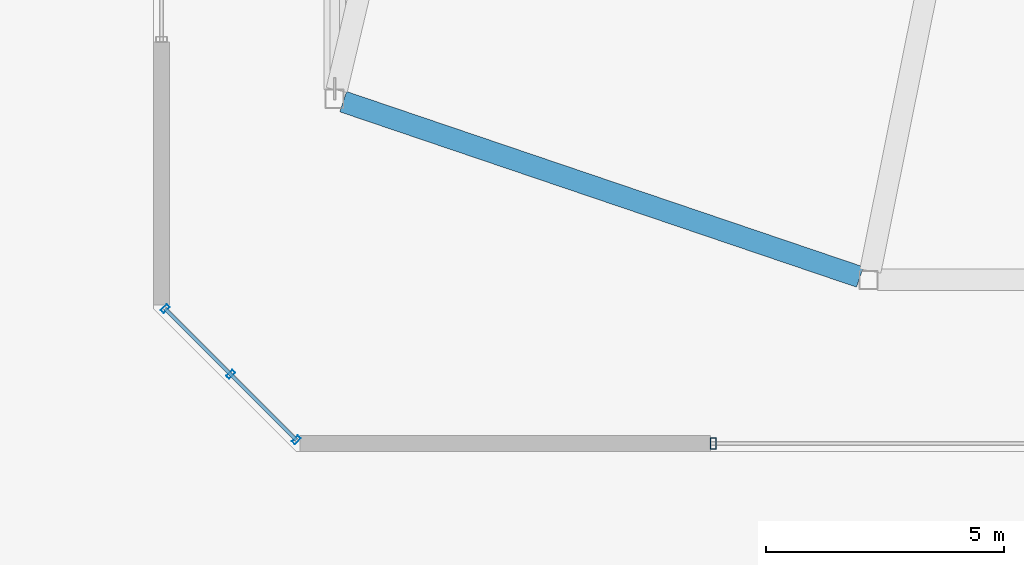
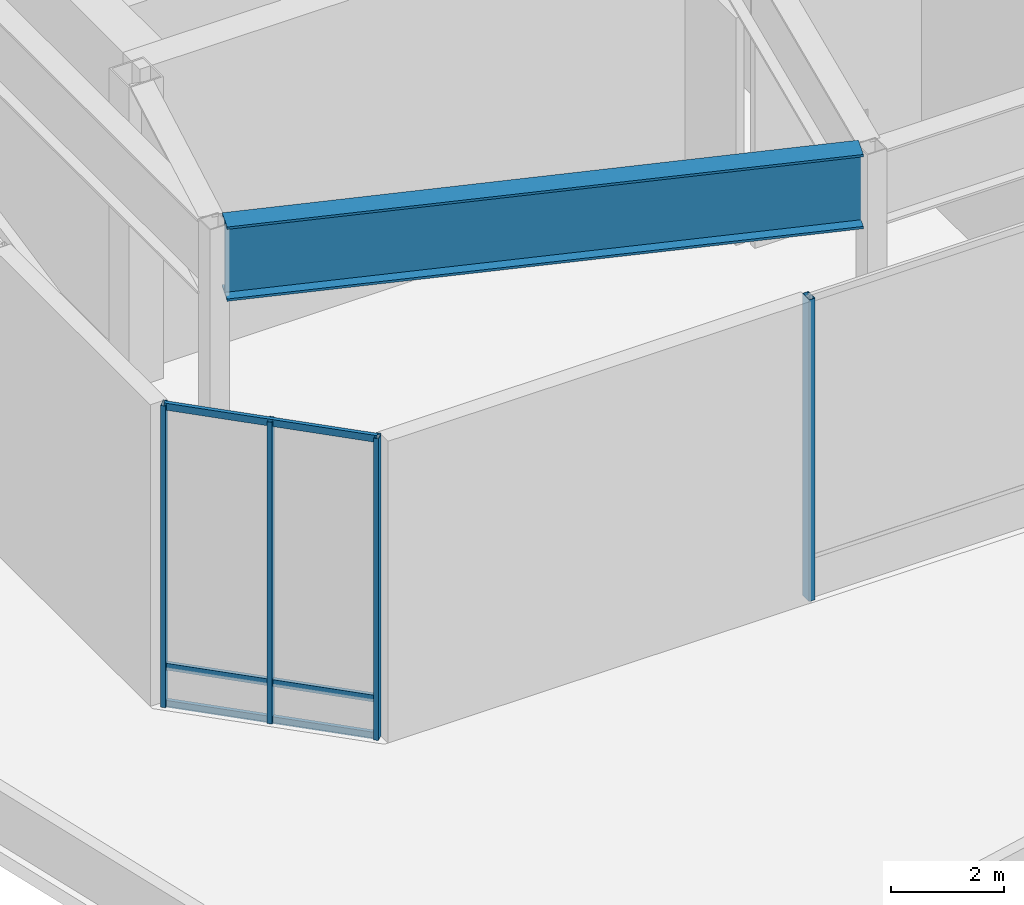
# One storey, part 2 of 25: 7 members, 1 beam, 2 elements without a shape of their own.
"""IFC4 building model written with IfcOpenShell, lengths in metres."""

from ifc_helpers import new_model, si_unit, direction, frame, origin, origin_2d, place, context, subcontext, project, spatial, hollow_rectangle, i_section, extrude, material, layer, layer_set, material_profile, profile_set, type_object, element, aggregate, save


model = new_model("IFC4")

# Units and contexts
model_context = context("Model", 3, precision=1e-05, world=origin(), true_north=direction((0.0, 1.0)))
body_context = subcontext(model_context, "Body", "Model", "MODEL_VIEW")
ifc_project = project(units=[si_unit("LENGTHUNIT", "METRE"), si_unit("AREAUNIT", "SQUARE_METRE"), si_unit("VOLUMEUNIT", "CUBIC_METRE"), si_unit("PLANEANGLEUNIT", "RADIAN"), si_unit("MASSUNIT", "GRAM", prefix="KILO")], contexts=[model_context])

# Site, building, storey
site_placement = place(None, origin())
site = spatial("IfcSite", under=ifc_project, at=site_placement, CompositionType="ELEMENT")
building_placement = place(site_placement, origin())
building = spatial("IfcBuilding", under=site, at=building_placement, Name="Tavrogorsk Clinical Tower", CompositionType="ELEMENT")
storey_placement = place(building_placement, frame((0.0, 0.0, 333.0)))
storey = spatial("IfcBuildingStorey", under=building, at=storey_placement, Name="L78", CompositionType="ELEMENT", Elevation=333.0)

# Curtain wall, members
ifc_material_1 = material(Name="Anodised aluminium and triple IGU glazing", Category="aluminium")
ifc_layer = layer(ifc_material_1, 0.179931640625)
ifc_layer_set = layer_set([ifc_layer], Name="Anodised aluminium and triple IGU glazing")
curtain_wall_type = type_object("IfcCurtainWallType", Name="CW6_TmdLantern", PredefinedType="NOTDEFINED", material=ifc_layer_set)
curtain_wall_1_placement = place(storey_placement, origin())
curtain_wall_1 = element("IfcCurtainWall", 1, at=curtain_wall_1_placement, inside=storey, type_object=curtain_wall_type, Name="L78 Curtain Wall CW-L78-TMD-1", PredefinedType="NOTDEFINED")
ifc_material_2 = material(Name="Anodised aluminium alloy AW-6060", Category="aluminium")
ifc_material_profile_1 = material_profile(ifc_material_2, hollow_rectangle(XDim=0.090087890625, YDim=0.179931640625, WallThickness=0.00634765625, at=origin_2d()), Name="RHS-180x90x6.3")
ifc_profile_set_1 = profile_set([ifc_material_profile_1], Name="Anodised aluminium alloy AW-6060")
member_type_1 = type_object("IfcMemberType", Name="CwMullion_180x90", PredefinedType="MULLION", material=ifc_profile_set_1)
member_1_placement = place(storey_placement, frame((-24.00390625, -18.15576171875, 0.0), z_axis=(0.0, 0.0, 1.0), x_axis=(-0.707106781187, 0.707106781187, 0.0)))
member_1 = element("IfcMember", 2, at=member_1_placement, type_object=member_type_1, Name="CW-L78-TMD-1 Mullion 1", PredefinedType="MULLION", context=body_context, shape_type="SweptSolid", body=[
    extrude(hollow_rectangle(XDim=0.090087890625, YDim=0.179931640625, WallThickness=0.00634765625, at=origin_2d()), origin(), (0.0, 0.0, 1.0), 6.5),
])
member_2_placement = place(storey_placement, frame((-25.3798828125, -16.77978515625, 0.0), z_axis=(0.0, 0.0, 1.0), x_axis=(-0.707106781187, 0.707106781187, 0.0)))
member_2 = element("IfcMember", 3, at=member_2_placement, type_object=member_type_1, Name="CW-L78-TMD-1 Mullion 2", PredefinedType="MULLION", context=body_context, shape_type="SweptSolid", body=[
    extrude(hollow_rectangle(XDim=0.090087890625, YDim=0.179931640625, WallThickness=0.00634765625, at=origin_2d()), origin(), (0.0, 0.0, 1.0), 6.5),
])
member_3_placement = place(storey_placement, frame((-26.755859375, -15.40380859375, 0.0), z_axis=(0.0, 0.0, 1.0), x_axis=(-0.707106781187, 0.707106781187, 0.0)))
member_3 = element("IfcMember", 4, at=member_3_placement, type_object=member_type_1, Name="CW-L78-TMD-1 Mullion 3", PredefinedType="MULLION", context=body_context, shape_type="SweptSolid", body=[
    extrude(hollow_rectangle(XDim=0.090087890625, YDim=0.179931640625, WallThickness=0.00634765625, at=origin_2d()), origin(), (0.0, 0.0, 1.0), 6.5),
])

# Curtain wall, member
curtain_wall_2_placement = place(storey_placement, origin())
curtain_wall_2 = element("IfcCurtainWall", 5, at=curtain_wall_2_placement, inside=storey, type_object=curtain_wall_type, Name="L78 Curtain Wall CW-L78-TMD-8", PredefinedType="NOTDEFINED")
ifc_material_3 = material(Name="Anodised aluminium alloy AW-6060", Category="aluminium")
ifc_material_profile_2 = material_profile(ifc_material_3, hollow_rectangle(XDim=0.1201171875, YDim=0.239990234375, WallThickness=0.008056640625, at=origin_2d()), Name="RHS-240x120x8")
ifc_profile_set_2 = profile_set([ifc_material_profile_2], Name="Anodised aluminium alloy AW-6060")
member_type_2 = type_object("IfcMemberType", Name="CwMullion_240x120", PredefinedType="MULLION", material=ifc_profile_set_2)
member_4_placement = place(storey_placement, frame((-15.259521484375, -18.22998046875, 0.0), z_axis=(0.0, 0.0, 1.0), x_axis=(-1.0, 0.0, 0.0)))
member_4 = element("IfcMember", 6, at=member_4_placement, type_object=member_type_2, Name="CW-L78-TMD-8 Mullion 5", PredefinedType="MULLION", context=body_context, shape_type="SweptSolid", body=[
    extrude(hollow_rectangle(XDim=0.1201171875, YDim=0.239990234375, WallThickness=0.008056640625, at=origin_2d()), origin(), (0.0, 0.0, 1.0), 6.5),
])
aggregate(curtain_wall_2, [member_4])

# Member
ifc_material_4 = material(Name="Anodised aluminium alloy AW-6060", Category="aluminium")
ifc_material_profile_3 = material_profile(ifc_material_4, hollow_rectangle(XDim=0.074951171875, YDim=0.14990234375, WallThickness=0.0048828125, at=origin_2d()), Name="RHS-150x75x5")
ifc_profile_set_3 = profile_set([ifc_material_profile_3], Name="Anodised aluminium alloy AW-6060")
member_type_3 = type_object("IfcMemberType", Name="CwTransom_150x75", PredefinedType="USERDEFINED", material=ifc_profile_set_3)
member_5_placement = place(storey_placement, frame((-24.00390625, -18.15576171875, 0.050048828125), z_axis=(-0.707106781187, 0.707106781187, 0.0), x_axis=(-0.707106781187, -0.707106781187, 0.0)))
member_5 = element("IfcMember", 7, at=member_5_placement, type_object=member_type_3, Name="CW-L78-TMD-1 Transom 1", ObjectType="TRANSOM", PredefinedType="USERDEFINED", context=body_context, shape_type="SweptSolid", body=[
    extrude(hollow_rectangle(XDim=0.074951171875, YDim=0.14990234375, WallThickness=0.0048828125, at=origin_2d()), origin(), (0.0, 0.0, 1.0), 3.891845703125),
])

member_6_placement = place(storey_placement, frame((-24.00390625, -18.15576171875, 0.85009765625), z_axis=(-0.707106781187, 0.707106781187, 0.0), x_axis=(-0.707106781187, -0.707106781187, 0.0)))
member_6 = element("IfcMember", 8, at=member_6_placement, type_object=member_type_3, Name="CW-L78-TMD-1 Transom 2", ObjectType="TRANSOM", PredefinedType="USERDEFINED", context=body_context, shape_type="SweptSolid", body=[
    extrude(hollow_rectangle(XDim=0.074951171875, YDim=0.14990234375, WallThickness=0.0048828125, at=origin_2d()), origin(), (0.0, 0.0, 1.0), 3.891845703125),
])

member_7_placement = place(storey_placement, frame((-24.00390625, -18.15576171875, 6.449951171875), z_axis=(-0.707106781187, 0.707106781187, 0.0), x_axis=(-0.707106781187, -0.707106781187, 0.0)))
member_7 = element("IfcMember", 9, at=member_7_placement, type_object=member_type_3, Name="CW-L78-TMD-1 Transom 3", ObjectType="TRANSOM", PredefinedType="USERDEFINED", context=body_context, shape_type="SweptSolid", body=[
    extrude(hollow_rectangle(XDim=0.074951171875, YDim=0.14990234375, WallThickness=0.0048828125, at=origin_2d()), origin(), (0.0, 0.0, 1.0), 3.891845703125),
])

aggregate(curtain_wall_1, [member_1, member_2, member_3, member_5, member_6, member_7])

# Beam
ifc_material_5 = material(Name="Structural steel S440", Category="steel")
ifc_material_profile_4 = material_profile(ifc_material_5, i_section(OverallWidth=0.449951171875, OverallDepth=1.60009765625, WebThickness=0.031982421875, FlangeThickness=0.050048828125, at=origin_2d()), Name="DK-1600x450x32x50")
ifc_profile_set_4 = profile_set([ifc_material_profile_4], Name="Structural steel S440")
beam_type = type_object("IfcBeamType", Name="TransferGirder_DK1600", PredefinedType="USERDEFINED", material=ifc_profile_set_4)
beam_placement = place(storey_placement, frame((-23.02001953125, -11.06103515625, 5.699951171875), z_axis=(0.946976266831, -0.321303517034, 0.0), x_axis=(0.321303517034, 0.946976266831, 0.0)))
element("IfcBeam", 10, at=beam_placement, inside=storey, type_object=beam_type, Name="L78 Crown Spandrel Beam 10", ObjectType="GIRDER", PredefinedType="USERDEFINED", context=body_context, shape_type="SweptSolid", body=[
    extrude(i_section(OverallWidth=0.449951171875, OverallDepth=1.60009765625, WebThickness=0.031982421875, FlangeThickness=0.050048828125, at=origin_2d()), origin(), (0.0, 0.0, 1.0), 11.447021484375),
])

save(model, "model.ifc")
